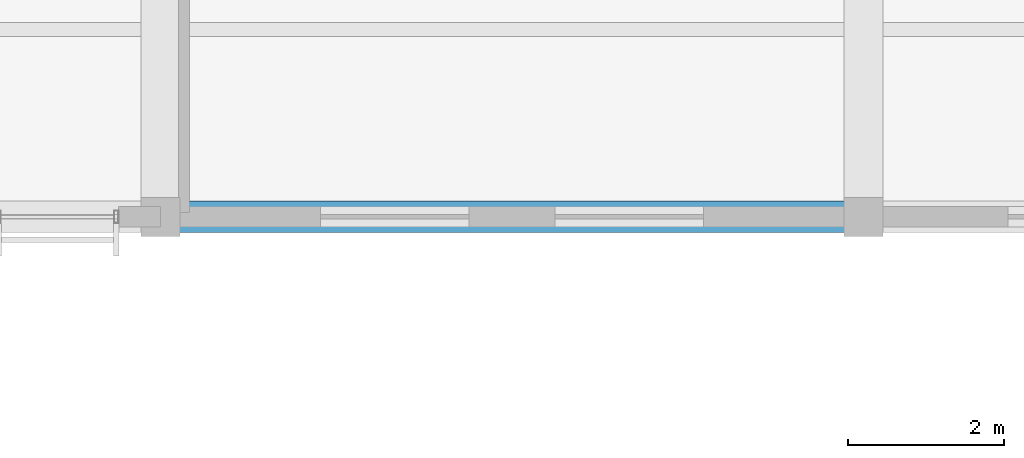
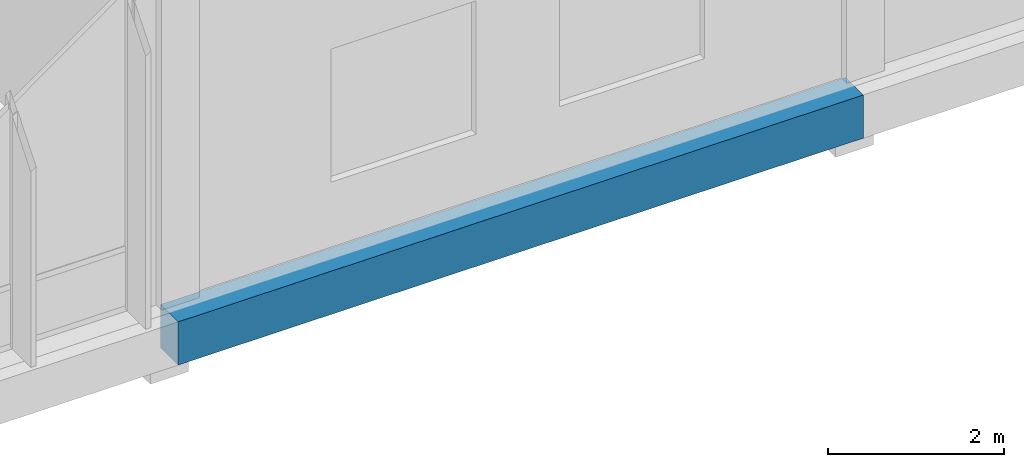
# One storey, part 27 of 177: 1 beam.
"""IFC4 building model written with IfcOpenShell, lengths in metres."""

from ifc_helpers import new_model, si_unit, direction, frame, origin, origin_2d, place, context, subcontext, project, spatial, rectangle, extrude, material, material_profile, profile_set, type_object, element, save


model = new_model("IFC4")

# Units and contexts
model_context = context("Model", 3, precision=1e-05, world=origin(), true_north=direction((0.0, 1.0)))
body_context = subcontext(model_context, "Body", "Model", "MODEL_VIEW")
ifc_project = project(units=[si_unit("LENGTHUNIT", "METRE"), si_unit("AREAUNIT", "SQUARE_METRE"), si_unit("VOLUMEUNIT", "CUBIC_METRE"), si_unit("PLANEANGLEUNIT", "RADIAN"), si_unit("MASSUNIT", "GRAM", prefix="KILO")], contexts=[model_context])

# Site, building, storey
site_placement = place(None, origin())
site = spatial("IfcSite", under=ifc_project, at=site_placement, CompositionType="ELEMENT")
building_placement = place(site_placement, origin())
building = spatial("IfcBuilding", under=site, at=building_placement, Name="Chiffa Square Polytechnic", CompositionType="ELEMENT")
storey_placement = place(building_placement, frame((0.0, 0.0, 4.800048828125)))
storey = spatial("IfcBuildingStorey", under=building, at=storey_placement, Name="L01", CompositionType="ELEMENT", Elevation=4.800048828125)

# Beam
ifc_material = material(Name="Concrete C35/45", Category="concrete")
ifc_material_profile = material_profile(ifc_material, rectangle(XDim=0.39990234375, YDim=0.60009765625, at=origin_2d()), Name="RC 400x600")
ifc_profile_set = profile_set([ifc_material_profile], Name="Concrete C35/45")
beam_type = type_object("IfcBeamType", Name="BM-RC-400X600", PredefinedType="BEAM", material=ifc_profile_set)
beam_placement = place(storey_placement, frame((57.60009765625, 21.60009765625, -0.580078125), z_axis=(1.0, 0.0, 0.0), x_axis=(0.0, 1.0, 0.0)))
element("IfcBeam", 1, at=beam_placement, inside=storey, type_object=beam_type, Name="Primary floor girder BM-V4-L01-X-0576-0216", PredefinedType="BEAM", context=body_context, shape_type="SweptSolid", body=[
    extrude(rectangle(XDim=0.39990234375, YDim=0.60009765625, at=origin_2d()), origin(), (0.0, 0.0, 1.0), 9.0),
])

save(model, "model.ifc")
